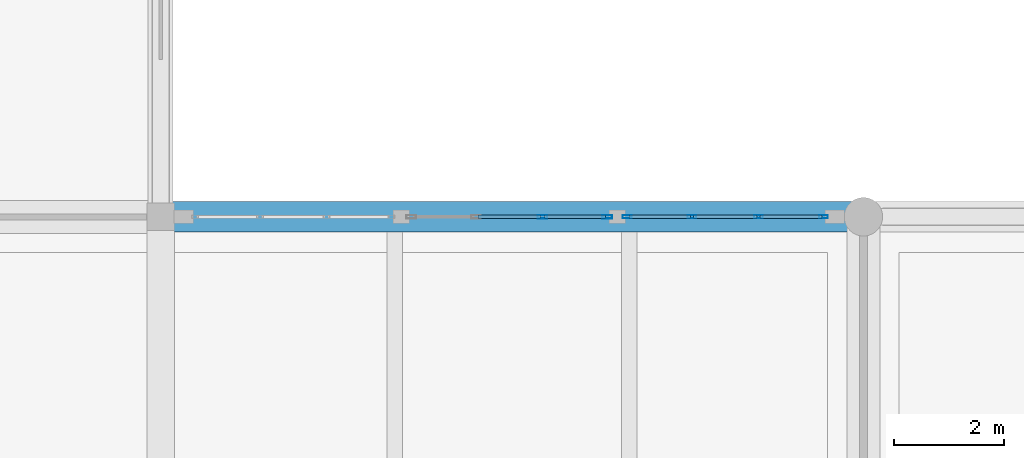
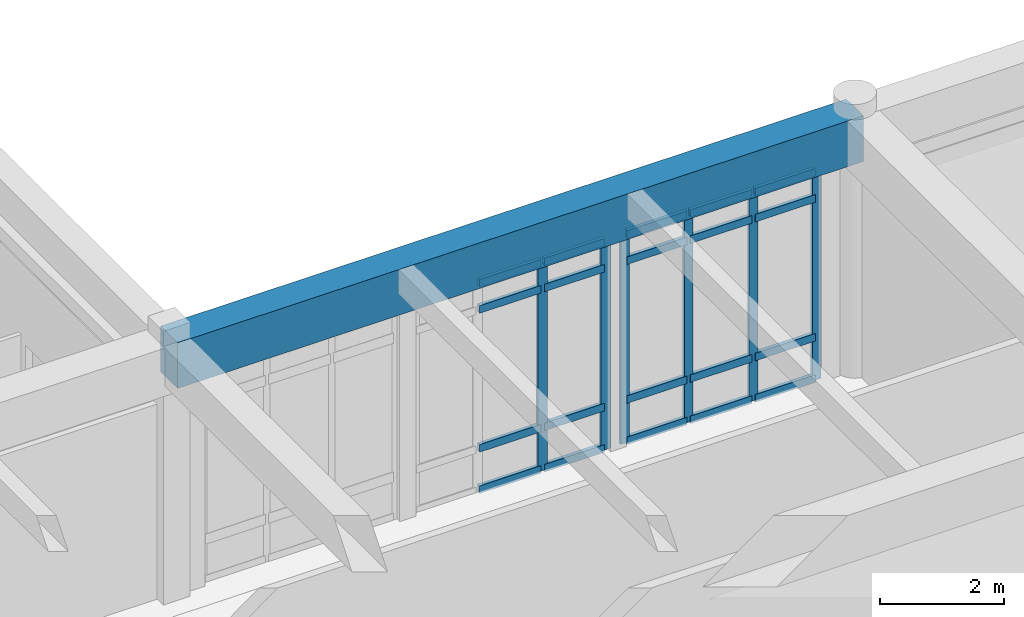
# One storey, part 67 of 138: 26 members, 1 beam, 2 elements without a shape of their own.
"""IFC4 building model written with IfcOpenShell, lengths in metres."""

import ifcopenshell
import ifcopenshell.guid

model = None  # the IFC model being written
_history = None  # IfcOwnerHistory: only IFC2X3 demands one
_inside = {}  # id of a spatial element -> (the spatial element, [elements in it])
_under = {}  # id of a project, library or spatial element -> (it, [spatial elements below it])
_declared = {}  # id of a project -> (the project, [libraries it declares])
_typed = {}  # id of a type object -> (the type object, [elements of that type])
_made_of = {}  # id of a material, layer set ... -> (it, [elements and type objects made of it])


def new_model(schema):
    """Start an empty IFC model of exactly this schema.

    Asked for "IFC4X3", IfcOpenShell would pick the latest addendum, in which some entities
    have other attributes; the version numbers below select the first issue.
    IFC2X3 requires an IfcOwnerHistory on every rooted entity: one is made here for all.
    """
    global model, _history
    if schema == "IFC4X3":
        model = ifcopenshell.file(schema_version=(4, 3, 0, 0))
    else:
        model = ifcopenshell.file(schema=schema)
    _inside.clear()
    _under.clear()
    _declared.clear()
    _typed.clear()
    _made_of.clear()
    _history = None
    if model.schema == "IFC2X3":
        org = make("IfcOrganization", Name="unknown")
        user = make(
            "IfcPersonAndOrganization",
            ThePerson=make("IfcPerson", FamilyName="unknown"),
            TheOrganization=org,
        )
        app = make(
            "IfcApplication",
            ApplicationDeveloper=org,
            Version="unknown",
            ApplicationFullName="unknown",
            ApplicationIdentifier="unknown",
        )
        _history = make(
            "IfcOwnerHistory",
            OwningUser=user,
            OwningApplication=app,
            ChangeAction="ADDED",
            CreationDate=0,
        )
    return model


def make(cls, **values):
    """One entity of the class cls with the attributes given. An attribute that is None is left unset."""
    return model.create_entity(
        cls, **{name: value for name, value in values.items() if value is not None}
    )


def rooted(cls, **values):
    """An entity with a GlobalId (a new one), such as an element, a storey or a relation."""
    return make(cls, GlobalId=ifcopenshell.guid.new(), OwnerHistory=_history, **values)


def si_unit(unit_type, name, prefix=None):
    """IfcSIUnit, for example si_unit("LENGTHUNIT", "METRE", prefix="MILLI")."""
    return make("IfcSIUnit", UnitType=unit_type, Prefix=prefix, Name=name)


def assignment(units):
    """IfcUnitAssignment: the units of a project."""
    return None if units is None else make("IfcUnitAssignment", Units=units)


def point(xyz):
    """IfcCartesianPoint."""
    return None if xyz is None else make("IfcCartesianPoint", Coordinates=xyz)


def direction(xyz):
    """IfcDirection."""
    return None if xyz is None else make("IfcDirection", DirectionRatios=xyz)


def frame(location, z_axis=None, x_axis=None):
    """IfcAxis2Placement3D, a coordinate frame: its origin and axes. An axis left out is left unset."""
    return make(
        "IfcAxis2Placement3D",
        Location=point(location),
        Axis=direction(z_axis),
        RefDirection=direction(x_axis),
    )


def frame_2d(location, x_axis=None):
    """IfcAxis2Placement2D, a coordinate frame in the plane: its origin and x axis."""
    return make(
        "IfcAxis2Placement2D", Location=point(location), RefDirection=direction(x_axis)
    )


def origin():
    """The frame at (0, 0, 0) with its axes left unset."""
    return frame((0.0, 0.0, 0.0))


def origin_2d():
    """The frame at (0, 0) in the plane with its x axis left unset."""
    return frame_2d((0.0, 0.0))


def place(relative_to, where):
    """IfcLocalPlacement: puts the frame where relative to a parent placement (None: the world)."""
    return make(
        "IfcLocalPlacement", PlacementRelTo=relative_to, RelativePlacement=where
    )


def context(
    kind, dimensions, precision=None, world=None, true_north=None, identifier=None
):
    """IfcGeometricRepresentationContext, for example the 3D "Model" context."""
    return make(
        "IfcGeometricRepresentationContext",
        ContextIdentifier=identifier,
        ContextType=kind,
        CoordinateSpaceDimension=dimensions,
        Precision=precision,
        WorldCoordinateSystem=world,
        TrueNorth=true_north,
    )


def subcontext(parent, identifier, kind, view, scale=None):
    """IfcGeometricRepresentationSubContext, for example "Body" below "Model"."""
    return make(
        "IfcGeometricRepresentationSubContext",
        ContextIdentifier=identifier,
        ContextType=kind,
        ParentContext=parent,
        TargetScale=scale,
        TargetView=view,
    )


def project(units=None, contexts=None):
    """IfcProject with its units and contexts."""
    return rooted(
        "IfcProject",
        Name="project",
        RepresentationContexts=contexts,
        UnitsInContext=assignment(units),
    )


def spatial(cls, under=None, at=None, **own):
    """A site, building, storey or space (cls), placed at a placement, below another one or the project."""
    s = rooted(cls, ObjectPlacement=at, **own)
    if under is not None:
        _under.setdefault(under.id(), (under, []))[1].append(s)
    return s


def profile(cls, at=None, kind="AREA", **sizes):
    """A parametric profile (cls). Its sizes go by their IFC names, for example OverallWidth=200.0."""
    return make(cls, ProfileType=kind, Position=at, **sizes)


def rectangle(**sizes):
    """IfcRectangleProfileDef."""
    return profile("IfcRectangleProfileDef", **sizes)


def hollow_rectangle(**sizes):
    """IfcRectangleHollowProfileDef."""
    return profile("IfcRectangleHollowProfileDef", **sizes)


def extrude(swept, where, along, depth):
    """IfcExtrudedAreaSolid: the profile swept, set in the frame where, extruded along a direction by depth."""
    return make(
        "IfcExtrudedAreaSolid",
        SweptArea=swept,
        Position=where,
        ExtrudedDirection=direction(along),
        Depth=depth,
    )


def shape(context_of_items, identifier, shape_type, items):
    """IfcShapeRepresentation: the items that make up one representation, for example the "Body"."""
    return make(
        "IfcShapeRepresentation",
        ContextOfItems=context_of_items,
        RepresentationIdentifier=identifier,
        RepresentationType=shape_type,
        Items=items,
    )


def material(Name=None, Category=None):
    """IfcMaterial."""
    return make("IfcMaterial", Name=Name, Category=Category)


def layer(
    of_material, thickness, ventilated=None, Name=None, Category=None, Priority=None
):
    """IfcMaterialLayer: one layer of a wall or slab, of a material (None: an air gap)."""
    return make(
        "IfcMaterialLayer",
        Material=of_material,
        LayerThickness=thickness,
        IsVentilated=ventilated,
        Name=Name,
        Category=Category,
        Priority=Priority,
    )


def layer_set(layers, Name=None):
    """IfcMaterialLayerSet."""
    return make("IfcMaterialLayerSet", MaterialLayers=layers, LayerSetName=Name)


def material_profile(
    of_material, cross_section, Name=None, Category=None, Priority=None
):
    """IfcMaterialProfile: a cross section and its material."""
    return make(
        "IfcMaterialProfile",
        Name=Name,
        Material=of_material,
        Profile=cross_section,
        Priority=Priority,
        Category=Category,
    )


def profile_set(profiles, Name=None, composite=None):
    """IfcMaterialProfileSet."""
    return make(
        "IfcMaterialProfileSet",
        Name=Name,
        MaterialProfiles=profiles,
        CompositeProfile=composite,
    )


def made_of(thing, what):
    """Note that an element or type object is made of a material, layer set ...; save() writes the relation."""
    if what is not None:
        _made_of.setdefault(what.id(), (what, []))[1].append(thing)
    return thing


def type_object(cls, material=None, **own):
    """A type object (cls), such as IfcWallType, which elements share."""
    return made_of(rooted(cls, **own), material)


def element(
    cls,
    number,
    at=None,
    inside=None,
    cuts=None,
    type_object=None,
    material=None,
    context=None,
    identifier="Body",
    shape_type=None,
    held_by="IfcProductDefinitionShape",
    body=None,
    shapes=None,
    **own,
):
    """One element of the class cls, such as IfcWall. Its Tag is "e" and its number.

    at: its placement. inside: the storey or other place that contains it. cuts: it is an
    opening in that element (IfcRelVoidsElement). A single representation is given by context,
    identifier, shape_type and body (its items); several are given by shapes. held_by: the class
    of the entity that holds the representations. save() writes the other relations.
    """
    e = rooted(cls, Tag="e%d" % number, ObjectPlacement=at, **own)
    if body is not None:
        shapes = [shape(context, identifier, shape_type, body)]
    if shapes is not None:
        e.Representation = make(held_by, Representations=shapes)
    if inside is not None:
        _inside.setdefault(inside.id(), (inside, []))[1].append(e)
    if cuts is not None:
        rooted(
            "IfcRelVoidsElement", RelatingBuildingElement=cuts, RelatedOpeningElement=e
        )
    if type_object is not None:
        _typed.setdefault(type_object.id(), (type_object, []))[1].append(e)
    return made_of(e, material)


def aggregate(whole, parts):
    """IfcRelAggregates: a whole, such as a stair, and the parts it consists of."""
    return rooted("IfcRelAggregates", RelatingObject=whole, RelatedObjects=parts)


def save(model, path):
    """Write the relations noted so far, then the file.

    IfcRelAggregates (storeys below a building ...), IfcRelContainedInSpatialStructure (elements
    in a storey), IfcRelDefinesByType, IfcRelAssociatesMaterial and IfcRelDeclares: one each for
    every whole, place, type object, material and project.
    """
    for whole, parts in _under.values():
        aggregate(whole, parts)
    for where, things in _inside.values():
        rooted(
            "IfcRelContainedInSpatialStructure",
            RelatedElements=things,
            RelatingStructure=where,
        )
    for kind, things in _typed.values():
        rooted("IfcRelDefinesByType", RelatedObjects=things, RelatingType=kind)
    for what, things in _made_of.values():
        rooted("IfcRelAssociatesMaterial", RelatedObjects=things, RelatingMaterial=what)
    for by, libraries in _declared.values():
        rooted("IfcRelDeclares", RelatingContext=by, RelatedDefinitions=libraries)
    model.write(path)


model = new_model("IFC4")

# Units and contexts
model_context = context("Model", 3, precision=1e-05, world=origin(), true_north=direction((0.0, 1.0)))
body_context = subcontext(model_context, "Body", "Model", "MODEL_VIEW")
ifc_project = project(units=[si_unit("LENGTHUNIT", "METRE"), si_unit("AREAUNIT", "SQUARE_METRE"), si_unit("VOLUMEUNIT", "CUBIC_METRE"), si_unit("PLANEANGLEUNIT", "RADIAN"), si_unit("MASSUNIT", "GRAM", prefix="KILO")], contexts=[model_context])

# Site, building, storey
site_placement = place(None, origin())
site = spatial("IfcSite", under=ifc_project, at=site_placement, CompositionType="ELEMENT")
building_placement = place(site_placement, origin())
building = spatial("IfcBuilding", under=site, at=building_placement, Name="Fikremerkos Civic Library", CompositionType="ELEMENT")
storey_placement = place(building_placement, origin())
storey = spatial("IfcBuildingStorey", under=building, at=storey_placement, Name="L00", CompositionType="ELEMENT", Elevation=0.0)

# Curtain wall, members
ifc_material_1 = material(Name="Anodized aluminium Frame", Category="aluminium")
ifc_layer_1 = layer(ifc_material_1, 0.159912109375, Name="Anodized aluminium Frame")
ifc_layer_set_1 = layer_set([ifc_layer_1], Name="Anodized aluminium Frame")
curtain_wall_type_1 = type_object("IfcCurtainWallType", Name="Unitised curtain wall CW-17 4600x3600", PredefinedType="USERDEFINED", material=ifc_layer_set_1)
curtain_wall_1_placement = place(storey_placement, origin())
curtain_wall_1 = element("IfcCurtainWall", 1, at=curtain_wall_1_placement, inside=storey, type_object=curtain_wall_type_1, Name="Unitised curtain wall CW-17 L00 #71", ObjectType="UNITISED CURTAIN WALL", PredefinedType="USERDEFINED")
ifc_material_profile_1 = material_profile(ifc_material_1, hollow_rectangle(XDim=0.06494140625, YDim=0.179931640625, WallThickness=0.00439453125, at=origin_2d()), Name="ALU 180x65x4.5")
ifc_profile_set_1 = profile_set([ifc_material_profile_1], Name="Anodized aluminium Frame")
member_type_1 = type_object("IfcMemberType", Name="Curtain mullion CWM-01 ALU 180x65x4.5", PredefinedType="MULLION", material=ifc_profile_set_1)
member_1_placement = place(storey_placement, frame((154.15576171875, 40.800048828125, 0.0), z_axis=(0.0, 0.0, 1.0), x_axis=(0.0, 1.0, 0.0)))
member_1 = element("IfcMember", 2, at=member_1_placement, type_object=member_type_1, Name="CW-17 mullion 3", PredefinedType="MULLION", context=body_context, shape_type="SweptSolid", body=[
    extrude(hollow_rectangle(XDim=0.06494140625, YDim=0.179931640625, WallThickness=0.00439453125, at=origin_2d()), origin(), (0.0, 0.0, 1.0), 4.139892578125),
])
member_2_placement = place(storey_placement, frame((155.334716796875, 40.800048828125, 0.0), z_axis=(0.0, 0.0, 1.0), x_axis=(0.0, 1.0, 0.0)))
member_2 = element("IfcMember", 3, at=member_2_placement, type_object=member_type_1, Name="CW-17 mullion 4", PredefinedType="MULLION", context=body_context, shape_type="SweptSolid", body=[
    extrude(hollow_rectangle(XDim=0.06494140625, YDim=0.179931640625, WallThickness=0.00439453125, at=origin_2d()), origin(), (0.0, 0.0, 1.0), 4.139892578125),
])

ifc_layer_2 = layer(ifc_material_1, 0.159912109375, Name="Anodized aluminium Frame")
ifc_layer_set_2 = layer_set([ifc_layer_2], Name="Anodized aluminium Frame")
curtain_wall_type_2 = type_object("IfcCurtainWallType", Name="Unitised curtain wall CW-18 2700x3400", PredefinedType="USERDEFINED", material=ifc_layer_set_2)
curtain_wall_2_placement = place(storey_placement, origin())
curtain_wall_2 = element("IfcCurtainWall", 4, at=curtain_wall_2_placement, inside=storey, type_object=curtain_wall_type_2, Name="Unitised curtain wall CW-18 L00 #72", ObjectType="UNITISED CURTAIN WALL", PredefinedType="USERDEFINED")
ifc_material_profile_2 = material_profile(ifc_material_1, hollow_rectangle(XDim=0.06005859375, YDim=0.159912109375, WallThickness=0.00390625, at=origin_2d()), Name="ALU 160x60x4")
ifc_profile_set_2 = profile_set([ifc_material_profile_2], Name="Anodized aluminium Frame")
member_type_2 = type_object("IfcMemberType", Name="Curtain mullion CWM-02 ALU 160x60x4", PredefinedType="MULLION", material=ifc_profile_set_2)
member_3_placement = place(storey_placement, frame((155.697265625, 40.800048828125, 0.0), z_axis=(0.0, 0.0, 1.0), x_axis=(0.0, 1.0, 0.0)))
member_3 = element("IfcMember", 5, at=member_3_placement, type_object=member_type_2, Name="CW-18 mullion 1", PredefinedType="MULLION", context=body_context, shape_type="SweptSolid", body=[
    extrude(hollow_rectangle(XDim=0.06005859375, YDim=0.159912109375, WallThickness=0.00390625, at=origin_2d()), origin(), (0.0, 0.0, 1.0), 4.139892578125),
])
member_4_placement = place(storey_placement, frame((156.87890625, 40.800048828125, 0.0), z_axis=(0.0, 0.0, 1.0), x_axis=(0.0, 1.0, 0.0)))
member_4 = element("IfcMember", 6, at=member_4_placement, type_object=member_type_2, Name="CW-18 mullion 2", PredefinedType="MULLION", context=body_context, shape_type="SweptSolid", body=[
    extrude(hollow_rectangle(XDim=0.06005859375, YDim=0.159912109375, WallThickness=0.00390625, at=origin_2d()), origin(), (0.0, 0.0, 1.0), 4.139892578125),
])
member_5_placement = place(storey_placement, frame((158.09033203125, 40.800048828125, 0.0), z_axis=(0.0, 0.0, 1.0), x_axis=(0.0, 1.0, 0.0)))
member_5 = element("IfcMember", 7, at=member_5_placement, type_object=member_type_2, Name="CW-18 mullion 3", PredefinedType="MULLION", context=body_context, shape_type="SweptSolid", body=[
    extrude(hollow_rectangle(XDim=0.06005859375, YDim=0.159912109375, WallThickness=0.00390625, at=origin_2d()), origin(), (0.0, 0.0, 1.0), 4.139892578125),
])
member_6_placement = place(storey_placement, frame((159.27197265625, 40.800048828125, 0.0), z_axis=(0.0, 0.0, 1.0), x_axis=(0.0, 1.0, 0.0)))
member_6 = element("IfcMember", 8, at=member_6_placement, type_object=member_type_2, Name="CW-18 mullion 4", PredefinedType="MULLION", context=body_context, shape_type="SweptSolid", body=[
    extrude(hollow_rectangle(XDim=0.06005859375, YDim=0.159912109375, WallThickness=0.00390625, at=origin_2d()), origin(), (0.0, 0.0, 1.0), 4.139892578125),
])

# Member
ifc_material_profile_3 = material_profile(ifc_material_1, hollow_rectangle(XDim=0.070068359375, YDim=0.14990234375, WallThickness=0.00439453125, at=origin_2d()), Name="ALU 150x70x4.5")
ifc_profile_set_3 = profile_set([ifc_material_profile_3], Name="Anodized aluminium Frame")
member_type_3 = type_object("IfcMemberType", Name="Curtain transom CWT-01 ALU 150x70x4.5", PredefinedType="USERDEFINED", material=ifc_profile_set_3)
member_7_placement = place(storey_placement, frame((152.976806640625, 40.800048828125, 0.034912109375), z_axis=(1.0, 0.0, 0.0), x_axis=(0.0, 1.0, 0.0)))
member_7 = element("IfcMember", 9, at=member_7_placement, type_object=member_type_3, Name="CW-17 transom 2.1", ObjectType="TRANSOM", PredefinedType="USERDEFINED", context=body_context, shape_type="SweptSolid", body=[
    extrude(hollow_rectangle(XDim=0.070068359375, YDim=0.14990234375, WallThickness=0.00439453125, at=origin_2d()), origin(), (0.0, 0.0, 1.0), 1.146484375),
])

member_8_placement = place(storey_placement, frame((152.976806640625, 40.800048828125, 0.85009765625), z_axis=(1.0, 0.0, 0.0), x_axis=(0.0, 1.0, 0.0)))
member_8 = element("IfcMember", 10, at=member_8_placement, type_object=member_type_3, Name="CW-17 transom 2.2", ObjectType="TRANSOM", PredefinedType="USERDEFINED", context=body_context, shape_type="SweptSolid", body=[
    extrude(hollow_rectangle(XDim=0.070068359375, YDim=0.14990234375, WallThickness=0.00439453125, at=origin_2d()), origin(), (0.0, 0.0, 1.0), 1.146484375),
])

member_9_placement = place(storey_placement, frame((152.976806640625, 40.800048828125, 3.590087890625), z_axis=(1.0, 0.0, 0.0), x_axis=(0.0, 1.0, 0.0)))
member_9 = element("IfcMember", 11, at=member_9_placement, type_object=member_type_3, Name="CW-17 transom 2.3", ObjectType="TRANSOM", PredefinedType="USERDEFINED", context=body_context, shape_type="SweptSolid", body=[
    extrude(hollow_rectangle(XDim=0.070068359375, YDim=0.14990234375, WallThickness=0.00439453125, at=origin_2d()), origin(), (0.0, 0.0, 1.0), 1.146484375),
])

member_10_placement = place(storey_placement, frame((152.976806640625, 40.800048828125, 4.10498046875), z_axis=(1.0, 0.0, 0.0), x_axis=(0.0, 1.0, 0.0)))
member_10 = element("IfcMember", 12, at=member_10_placement, type_object=member_type_3, Name="CW-17 transom 2.4", ObjectType="TRANSOM", PredefinedType="USERDEFINED", context=body_context, shape_type="SweptSolid", body=[
    extrude(hollow_rectangle(XDim=0.070068359375, YDim=0.14990234375, WallThickness=0.00439453125, at=origin_2d()), origin(), (0.0, 0.0, 1.0), 1.146484375),
])

member_11_placement = place(storey_placement, frame((154.188232421875, 40.800048828125, 0.034912109375), z_axis=(1.0, 0.0, 0.0), x_axis=(0.0, 1.0, 0.0)))
member_11 = element("IfcMember", 13, at=member_11_placement, type_object=member_type_3, Name="CW-17 transom 3.1", ObjectType="TRANSOM", PredefinedType="USERDEFINED", context=body_context, shape_type="SweptSolid", body=[
    extrude(hollow_rectangle(XDim=0.070068359375, YDim=0.14990234375, WallThickness=0.00439453125, at=origin_2d()), origin(), (0.0, 0.0, 1.0), 1.114013671875),
])

member_12_placement = place(storey_placement, frame((154.188232421875, 40.800048828125, 0.85009765625), z_axis=(1.0, 0.0, 0.0), x_axis=(0.0, 1.0, 0.0)))
member_12 = element("IfcMember", 14, at=member_12_placement, type_object=member_type_3, Name="CW-17 transom 3.2", ObjectType="TRANSOM", PredefinedType="USERDEFINED", context=body_context, shape_type="SweptSolid", body=[
    extrude(hollow_rectangle(XDim=0.070068359375, YDim=0.14990234375, WallThickness=0.00439453125, at=origin_2d()), origin(), (0.0, 0.0, 1.0), 1.114013671875),
])

member_13_placement = place(storey_placement, frame((154.188232421875, 40.800048828125, 3.590087890625), z_axis=(1.0, 0.0, 0.0), x_axis=(0.0, 1.0, 0.0)))
member_13 = element("IfcMember", 15, at=member_13_placement, type_object=member_type_3, Name="CW-17 transom 3.3", ObjectType="TRANSOM", PredefinedType="USERDEFINED", context=body_context, shape_type="SweptSolid", body=[
    extrude(hollow_rectangle(XDim=0.070068359375, YDim=0.14990234375, WallThickness=0.00439453125, at=origin_2d()), origin(), (0.0, 0.0, 1.0), 1.114013671875),
])

member_14_placement = place(storey_placement, frame((154.188232421875, 40.800048828125, 4.10498046875), z_axis=(1.0, 0.0, 0.0), x_axis=(0.0, 1.0, 0.0)))
member_14 = element("IfcMember", 16, at=member_14_placement, type_object=member_type_3, Name="CW-17 transom 3.4", ObjectType="TRANSOM", PredefinedType="USERDEFINED", context=body_context, shape_type="SweptSolid", body=[
    extrude(hollow_rectangle(XDim=0.070068359375, YDim=0.14990234375, WallThickness=0.00439453125, at=origin_2d()), origin(), (0.0, 0.0, 1.0), 1.114013671875),
])

aggregate(curtain_wall_1, [member_1, member_2, member_7, member_8, member_9, member_10, member_11, member_12, member_13, member_14])

member_15_placement = place(storey_placement, frame((155.727294921875, 40.800048828125, 0.034912109375), z_axis=(1.0, 0.0, 0.0), x_axis=(0.0, 1.0, 0.0)))
member_15 = element("IfcMember", 17, at=member_15_placement, type_object=member_type_3, Name="CW-18 transom 1.1", ObjectType="TRANSOM", PredefinedType="USERDEFINED", context=body_context, shape_type="SweptSolid", body=[
    extrude(hollow_rectangle(XDim=0.070068359375, YDim=0.14990234375, WallThickness=0.00439453125, at=origin_2d()), origin(), (0.0, 0.0, 1.0), 1.12158203125),
])

member_16_placement = place(storey_placement, frame((155.727294921875, 40.800048828125, 0.85009765625), z_axis=(1.0, 0.0, 0.0), x_axis=(0.0, 1.0, 0.0)))
member_16 = element("IfcMember", 18, at=member_16_placement, type_object=member_type_3, Name="CW-18 transom 1.2", ObjectType="TRANSOM", PredefinedType="USERDEFINED", context=body_context, shape_type="SweptSolid", body=[
    extrude(hollow_rectangle(XDim=0.070068359375, YDim=0.14990234375, WallThickness=0.00439453125, at=origin_2d()), origin(), (0.0, 0.0, 1.0), 1.12158203125),
])

member_17_placement = place(storey_placement, frame((155.727294921875, 40.800048828125, 3.590087890625), z_axis=(1.0, 0.0, 0.0), x_axis=(0.0, 1.0, 0.0)))
member_17 = element("IfcMember", 19, at=member_17_placement, type_object=member_type_3, Name="CW-18 transom 1.3", ObjectType="TRANSOM", PredefinedType="USERDEFINED", context=body_context, shape_type="SweptSolid", body=[
    extrude(hollow_rectangle(XDim=0.070068359375, YDim=0.14990234375, WallThickness=0.00439453125, at=origin_2d()), origin(), (0.0, 0.0, 1.0), 1.12158203125),
])

member_18_placement = place(storey_placement, frame((155.727294921875, 40.800048828125, 4.10498046875), z_axis=(1.0, 0.0, 0.0), x_axis=(0.0, 1.0, 0.0)))
member_18 = element("IfcMember", 20, at=member_18_placement, type_object=member_type_3, Name="CW-18 transom 1.4", ObjectType="TRANSOM", PredefinedType="USERDEFINED", context=body_context, shape_type="SweptSolid", body=[
    extrude(hollow_rectangle(XDim=0.070068359375, YDim=0.14990234375, WallThickness=0.00439453125, at=origin_2d()), origin(), (0.0, 0.0, 1.0), 1.12158203125),
])

member_19_placement = place(storey_placement, frame((156.908935546875, 40.800048828125, 0.034912109375), z_axis=(1.0, 0.0, 0.0), x_axis=(0.0, 1.0, 0.0)))
member_19 = element("IfcMember", 21, at=member_19_placement, type_object=member_type_3, Name="CW-18 transom 2.1", ObjectType="TRANSOM", PredefinedType="USERDEFINED", context=body_context, shape_type="SweptSolid", body=[
    extrude(hollow_rectangle(XDim=0.070068359375, YDim=0.14990234375, WallThickness=0.00439453125, at=origin_2d()), origin(), (0.0, 0.0, 1.0), 1.151611328125),
])

member_20_placement = place(storey_placement, frame((156.908935546875, 40.800048828125, 0.85009765625), z_axis=(1.0, 0.0, 0.0), x_axis=(0.0, 1.0, 0.0)))
member_20 = element("IfcMember", 22, at=member_20_placement, type_object=member_type_3, Name="CW-18 transom 2.2", ObjectType="TRANSOM", PredefinedType="USERDEFINED", context=body_context, shape_type="SweptSolid", body=[
    extrude(hollow_rectangle(XDim=0.070068359375, YDim=0.14990234375, WallThickness=0.00439453125, at=origin_2d()), origin(), (0.0, 0.0, 1.0), 1.151611328125),
])

member_21_placement = place(storey_placement, frame((156.908935546875, 40.800048828125, 3.590087890625), z_axis=(1.0, 0.0, 0.0), x_axis=(0.0, 1.0, 0.0)))
member_21 = element("IfcMember", 23, at=member_21_placement, type_object=member_type_3, Name="CW-18 transom 2.3", ObjectType="TRANSOM", PredefinedType="USERDEFINED", context=body_context, shape_type="SweptSolid", body=[
    extrude(hollow_rectangle(XDim=0.070068359375, YDim=0.14990234375, WallThickness=0.00439453125, at=origin_2d()), origin(), (0.0, 0.0, 1.0), 1.151611328125),
])

member_22_placement = place(storey_placement, frame((156.908935546875, 40.800048828125, 4.10498046875), z_axis=(1.0, 0.0, 0.0), x_axis=(0.0, 1.0, 0.0)))
member_22 = element("IfcMember", 24, at=member_22_placement, type_object=member_type_3, Name="CW-18 transom 2.4", ObjectType="TRANSOM", PredefinedType="USERDEFINED", context=body_context, shape_type="SweptSolid", body=[
    extrude(hollow_rectangle(XDim=0.070068359375, YDim=0.14990234375, WallThickness=0.00439453125, at=origin_2d()), origin(), (0.0, 0.0, 1.0), 1.151611328125),
])

member_23_placement = place(storey_placement, frame((158.120361328125, 40.800048828125, 0.034912109375), z_axis=(1.0, 0.0, 0.0), x_axis=(0.0, 1.0, 0.0)))
member_23 = element("IfcMember", 25, at=member_23_placement, type_object=member_type_3, Name="CW-18 transom 3.1", ObjectType="TRANSOM", PredefinedType="USERDEFINED", context=body_context, shape_type="SweptSolid", body=[
    extrude(hollow_rectangle(XDim=0.070068359375, YDim=0.14990234375, WallThickness=0.00439453125, at=origin_2d()), origin(), (0.0, 0.0, 1.0), 1.12158203125),
])

member_24_placement = place(storey_placement, frame((158.120361328125, 40.800048828125, 0.85009765625), z_axis=(1.0, 0.0, 0.0), x_axis=(0.0, 1.0, 0.0)))
member_24 = element("IfcMember", 26, at=member_24_placement, type_object=member_type_3, Name="CW-18 transom 3.2", ObjectType="TRANSOM", PredefinedType="USERDEFINED", context=body_context, shape_type="SweptSolid", body=[
    extrude(hollow_rectangle(XDim=0.070068359375, YDim=0.14990234375, WallThickness=0.00439453125, at=origin_2d()), origin(), (0.0, 0.0, 1.0), 1.12158203125),
])

member_25_placement = place(storey_placement, frame((158.120361328125, 40.800048828125, 3.590087890625), z_axis=(1.0, 0.0, 0.0), x_axis=(0.0, 1.0, 0.0)))
member_25 = element("IfcMember", 27, at=member_25_placement, type_object=member_type_3, Name="CW-18 transom 3.3", ObjectType="TRANSOM", PredefinedType="USERDEFINED", context=body_context, shape_type="SweptSolid", body=[
    extrude(hollow_rectangle(XDim=0.070068359375, YDim=0.14990234375, WallThickness=0.00439453125, at=origin_2d()), origin(), (0.0, 0.0, 1.0), 1.12158203125),
])

member_26_placement = place(storey_placement, frame((158.120361328125, 40.800048828125, 4.10498046875), z_axis=(1.0, 0.0, 0.0), x_axis=(0.0, 1.0, 0.0)))
member_26 = element("IfcMember", 28, at=member_26_placement, type_object=member_type_3, Name="CW-18 transom 3.4", ObjectType="TRANSOM", PredefinedType="USERDEFINED", context=body_context, shape_type="SweptSolid", body=[
    extrude(hollow_rectangle(XDim=0.070068359375, YDim=0.14990234375, WallThickness=0.00439453125, at=origin_2d()), origin(), (0.0, 0.0, 1.0), 1.12158203125),
])

aggregate(curtain_wall_2, [member_3, member_4, member_5, member_6, member_15, member_16, member_17, member_18, member_19, member_20, member_21, member_22, member_23, member_24, member_25, member_26])

# Beam
ifc_material_2 = material(Name="Concrete C40/50", Category="concrete")
ifc_material_profile_4 = material_profile(ifc_material_2, rectangle(XDim=0.550048828125, YDim=0.89990234375, at=origin_2d()), Name="RC 550x900")
ifc_profile_set_4 = profile_set([ifc_material_profile_4], Name="Concrete C40/50")
beam_type = type_object("IfcBeamType", Name="Primary girder BM-02 RC 550x900", PredefinedType="BEAM", material=ifc_profile_set_4)
beam_placement = place(storey_placement, frame((147.199951171875, 40.800048828125, 4.64990234375), z_axis=(1.0, 0.0, 0.0), x_axis=(0.0, 1.0, 0.0)))
element("IfcBeam", 29, at=beam_placement, inside=storey, type_object=beam_type, Name="Primary girder BM-02 L00 grid H", PredefinedType="BEAM", context=body_context, shape_type="SweptSolid", body=[
    extrude(rectangle(XDim=0.550048828125, YDim=0.89990234375, at=origin_2d()), origin(), (0.0, 0.0, 1.0), 12.800048828125),
])

save(model, "model.ifc")
